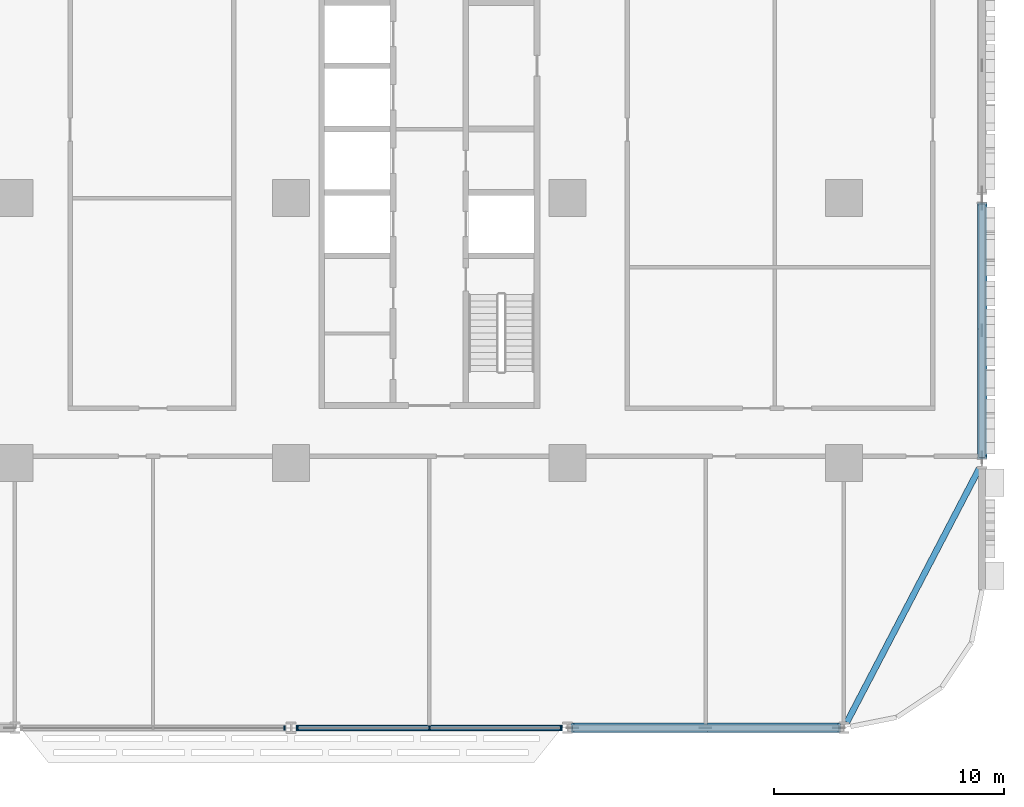
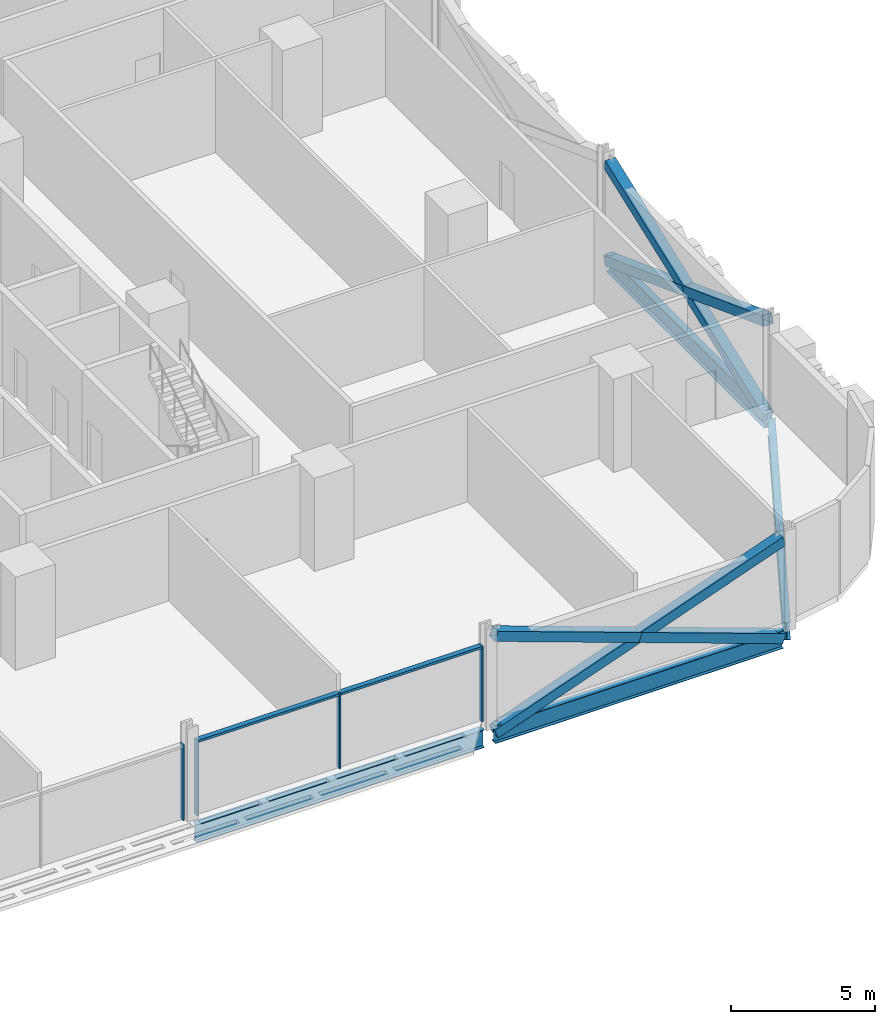
# One storey, part 7 of 28: 12 members, 4 beams, 2 elements without a shape of their own.
"""IFC4 building model written with IfcOpenShell, lengths in metres."""

from ifc_helpers import new_model, si_unit, direction, frame, origin, origin_2d, place, context, subcontext, project, spatial, rectangle, hollow_rectangle, i_section, extrude, material, material_profile, profile_set, type_object, element, aggregate, save


model = new_model("IFC4")

# Units and contexts
model_context = context("Model", 3, precision=1e-05, world=origin(), true_north=direction((0.0, 1.0)))
body_context = subcontext(model_context, "Body", "Model", "MODEL_VIEW")
ifc_project = project(units=[si_unit("LENGTHUNIT", "METRE"), si_unit("AREAUNIT", "SQUARE_METRE"), si_unit("VOLUMEUNIT", "CUBIC_METRE"), si_unit("PLANEANGLEUNIT", "RADIAN"), si_unit("MASSUNIT", "GRAM", prefix="KILO")], contexts=[model_context])

# Site, building, storey
site_placement = place(None, origin())
site = spatial("IfcSite", under=ifc_project, at=site_placement, CompositionType="ELEMENT")
building_placement = place(site_placement, origin())
building = spatial("IfcBuilding", under=site, at=building_placement, Name="Mahtab Terrace Research Tower", CompositionType="ELEMENT")
storey_placement = place(building_placement, frame((0.0, 0.0, 33.0)))
storey = spatial("IfcBuildingStorey", under=building, at=storey_placement, Name="L07", CompositionType="ELEMENT", Elevation=33.0)

# Members
ifc_material_1 = material(Name="Steel ASTM A500 Gr C", Category="steel")
ifc_material_profile_1 = material_profile(ifc_material_1, hollow_rectangle(XDim=0.406494140625, YDim=0.406494140625, WallThickness=0.01904296875, at=origin_2d()), Name="HSS16X16X3/4")
ifc_profile_set_1 = profile_set([ifc_material_profile_1], Name="Steel ASTM A500 Gr C")
member_type_1 = type_object("IfcMemberType", Name="HSS 16x16x3/4 brace XB161634", PredefinedType="BRACE", material=ifc_profile_set_1)
member_1_placement = place(storey_placement, frame((30.2158203125, -23.0, -0.64111328125), z_axis=(0.941388097231, 0.0, 0.337325436917), x_axis=(0.0, 1.0, 0.0)))
element("IfcMember", 1, at=member_1_placement, inside=storey, type_object=member_type_1, Name="Exoskeleton brace L07 18 a", PredefinedType="BRACE", context=body_context, shape_type="SweptSolid", body=[
    extrude(hollow_rectangle(XDim=0.406494140625, YDim=0.406494140625, WallThickness=0.01904296875, at=origin_2d()), origin(), (0.0, 0.0, 1.0), 12.28857421875),
])
for number, where, z_axis, x_axis, name in (
    (2, (41.7841796875, -23.0, -0.64111328125), (-0.941381788192, 0.0, 0.337343043295), (0.0, -1.0, 0.0), "Exoskeleton brace L07 18 b1"),
    (3, (36.0, -23.0, 1.431640625), (-0.941394406025, 0.0, 0.337307830185), (0.0, -1.0, 0.0), "Exoskeleton brace L07 18 b2"),
):
    element("IfcMember", number, at=place(storey_placement, frame(where, z_axis=z_axis, x_axis=x_axis)), inside=storey, type_object=member_type_1, Name=name, PredefinedType="BRACE", context=body_context, shape_type="SweptSolid", body=[
        extrude(hollow_rectangle(XDim=0.406494140625, YDim=0.406494140625, WallThickness=0.01904296875, at=origin_2d()), origin(), (0.0, 0.0, 1.0), 6.144287109375),
    ])
member_2_placement = place(storey_placement, frame((48.0, -11.251220703125, -0.62548828125), z_axis=(0.0, 0.936661873217, 0.350234971499), x_axis=(-1.0, 0.0, 0.0)))
element("IfcMember", 4, at=member_2_placement, inside=storey, type_object=member_type_1, Name="Exoskeleton brace L07 20 a", PredefinedType="BRACE", context=body_context, shape_type="SweptSolid", body=[
    extrude(hollow_rectangle(XDim=0.406494140625, YDim=0.406494140625, WallThickness=0.01904296875, at=origin_2d()), origin(), (0.0, 0.0, 1.0), 11.746337890625),
])
for number, where, z_axis, x_axis, name in (
    (5, (48.0, -0.248779296875, -0.62548828125), (0.0, -0.936655054788, 0.350253206038), (1.0, 0.0, 0.0), "Exoskeleton brace L07 20 b1"),
    (6, (48.0, -5.75, 1.431640625), (0.0, -0.936668691391, 0.350216736563), (1.0, 0.0, 0.0), "Exoskeleton brace L07 20 b2"),
):
    element("IfcMember", number, at=place(storey_placement, frame(where, z_axis=z_axis, x_axis=x_axis)), inside=storey, type_object=member_type_1, Name=name, PredefinedType="BRACE", context=body_context, shape_type="SweptSolid", body=[
        extrude(hollow_rectangle(XDim=0.406494140625, YDim=0.406494140625, WallThickness=0.01904296875, at=origin_2d()), origin(), (0.0, 0.0, 1.0), 5.873291015625),
    ])

# Curtain wall, member
ifc_material_2 = material(Name="Laboratory ribbon curtain wall")
curtain_wall_type = type_object("IfcCurtainWallType", Name="Laboratory ribbon curtain wall", PredefinedType="NOTDEFINED", material=ifc_material_2)
curtain_wall_1_placement = place(storey_placement, origin())
curtain_wall_1 = element("IfcCurtainWall", 7, at=curtain_wall_1_placement, inside=storey, type_object=curtain_wall_type, Name="EN.L07.13.26", PredefinedType="NOTDEFINED")
ifc_material_3 = material(Name="Natural anodised aluminium", Category="aluminium")
ifc_material_profile_2 = material_profile(ifc_material_3, rectangle(XDim=0.199951171875, YDim=0.06494140625, at=origin_2d()), Name="MULLION 65x200")
ifc_profile_set_2 = profile_set([ifc_material_profile_2], Name="Natural anodised aluminium")
member_type_2 = type_object("IfcMemberType", Name="Laboratory ribbon curtain wall mullion", PredefinedType="MULLION", material=ifc_profile_set_2)
member_3_placement = place(storey_placement, frame((17.718505859375, -23.0, 0.0), z_axis=(0.0, 0.0, 1.0), x_axis=(0.0, 1.0, 0.0)))
member_3 = element("IfcMember", 8, at=member_3_placement, type_object=member_type_2, Name="CWL-1 mullion 3", PredefinedType="MULLION", context=body_context, shape_type="SweptSolid", body=[
    extrude(rectangle(XDim=0.199951171875, YDim=0.06494140625, at=origin_2d()), origin(), (0.0, 0.0, 1.0), 3.203125),
])
aggregate(curtain_wall_1, [member_3])

# Curtain wall, members
curtain_wall_2_placement = place(storey_placement, origin())
curtain_wall_2 = element("IfcCurtainWall", 9, at=curtain_wall_2_placement, inside=storey, type_object=curtain_wall_type, Name="EN.L07.13.27", PredefinedType="NOTDEFINED")
member_4_placement = place(storey_placement, frame((18.281494140625, -23.0, 0.0), z_axis=(0.0, 0.0, 1.0), x_axis=(0.0, 1.0, 0.0)))
member_4 = element("IfcMember", 10, at=member_4_placement, type_object=member_type_2, Name="CWL-1 mullion 1", PredefinedType="MULLION", context=body_context, shape_type="SweptSolid", body=[
    extrude(rectangle(XDim=0.199951171875, YDim=0.06494140625, at=origin_2d()), origin(), (0.0, 0.0, 1.0), 3.203125),
])
member_5_placement = place(storey_placement, frame((24.0, -23.0, 0.0), z_axis=(0.0, 0.0, 1.0), x_axis=(0.0, 1.0, 0.0)))
member_5 = element("IfcMember", 11, at=member_5_placement, type_object=member_type_2, Name="CWL-1 mullion 2", PredefinedType="MULLION", context=body_context, shape_type="SweptSolid", body=[
    extrude(rectangle(XDim=0.199951171875, YDim=0.06494140625, at=origin_2d()), origin(), (0.0, 0.0, 1.0), 3.203125),
])
member_6_placement = place(storey_placement, frame((29.718505859375, -23.0, 0.0), z_axis=(0.0, 0.0, 1.0), x_axis=(0.0, 1.0, 0.0)))
member_6 = element("IfcMember", 12, at=member_6_placement, type_object=member_type_2, Name="CWL-1 mullion 3", PredefinedType="MULLION", context=body_context, shape_type="SweptSolid", body=[
    extrude(rectangle(XDim=0.199951171875, YDim=0.06494140625, at=origin_2d()), origin(), (0.0, 0.0, 1.0), 3.203125),
])
ifc_material_profile_3 = material_profile(ifc_material_3, rectangle(XDim=0.199951171875, YDim=0.10009765625, at=origin_2d()), Name="TRANSOM 100x200")
ifc_profile_set_3 = profile_set([ifc_material_profile_3], Name="Natural anodised aluminium")
member_type_3 = type_object("IfcMemberType", Name="Laboratory ribbon curtain wall transom", PredefinedType="USERDEFINED", material=ifc_profile_set_3)
member_7_placement = place(storey_placement, frame((18.31396484375, -23.0, 3.153076171875), z_axis=(1.0, 0.0, 0.0), x_axis=(0.0, 1.0, 0.0)))
member_7 = element("IfcMember", 13, at=member_7_placement, type_object=member_type_3, Name="CWL-1 transom 1", ObjectType="TRANSOM", PredefinedType="USERDEFINED", context=body_context, shape_type="SweptSolid", body=[
    extrude(rectangle(XDim=0.199951171875, YDim=0.10009765625, at=origin_2d()), origin(), (0.0, 0.0, 1.0), 5.653564453125),
])
member_8_placement = place(storey_placement, frame((24.032470703125, -23.0, 3.153076171875), z_axis=(1.0, 0.0, 0.0), x_axis=(0.0, 1.0, 0.0)))
member_8 = element("IfcMember", 14, at=member_8_placement, type_object=member_type_3, Name="CWL-1 transom 2", ObjectType="TRANSOM", PredefinedType="USERDEFINED", context=body_context, shape_type="SweptSolid", body=[
    extrude(rectangle(XDim=0.199951171875, YDim=0.10009765625, at=origin_2d()), origin(), (0.0, 0.0, 1.0), 5.653564453125),
])
aggregate(curtain_wall_2, [member_4, member_5, member_6, member_7, member_8])

# Beams
ifc_material_4 = material(Name="Steel ASTM A992 Gr 50", Category="steel")
ifc_material_profile_4 = material_profile(ifc_material_4, i_section(OverallWidth=0.2666015625, OverallDepth=0.7568359375, WebThickness=0.013916015625, FlangeThickness=0.019287109375, at=origin_2d()), Name="W30X108")
ifc_profile_set_4 = profile_set([ifc_material_profile_4], Name="Steel ASTM A992 Gr 50")
beam_type = type_object("IfcBeamType", Name="W30x108 beam BS30108", PredefinedType="BEAM", material=ifc_profile_set_4)
for number, where, z_axis, x_axis, name in (
    (15, (18.2158203125, -23.0, -0.718505859375), (1.0, 0.0, 0.0), (0.0, 1.0, 0.0), "Spandrel beam L07 17"),
    (16, (30.2158203125, -23.0, -0.718505859375), (1.0, 0.0, 0.0), (0.0, 1.0, 0.0), "Spandrel beam L07 18"),
):
    element("IfcBeam", number, at=place(storey_placement, frame(where, z_axis=z_axis, x_axis=x_axis)), inside=storey, type_object=beam_type, Name=name, PredefinedType="BEAM", context=body_context, shape_type="SweptSolid", body=[
        extrude(i_section(OverallWidth=0.2666015625, OverallDepth=0.7568359375, WebThickness=0.013916015625, FlangeThickness=0.019287109375, at=origin_2d()), origin(), (0.0, 0.0, 1.0), 11.568359375),
    ])
beam_1_placement = place(storey_placement, frame((42.1298828125, -22.751220703125, -0.718505859375), z_axis=(0.462555249274, 0.88659045865, 0.0), x_axis=(-0.88659045865, 0.462555249274, 0.0)))
element("IfcBeam", 17, at=beam_1_placement, inside=storey, type_object=beam_type, Name="Spandrel beam L07 19", PredefinedType="BEAM", context=body_context, shape_type="SweptSolid", body=[
    extrude(i_section(OverallWidth=0.2666015625, OverallDepth=0.7568359375, WebThickness=0.013916015625, FlangeThickness=0.019287109375, at=origin_2d()), origin(), (0.0, 0.0, 1.0), 12.409912109375),
])
beam_2_placement = place(storey_placement, frame((48.0, -11.251220703125, -0.718505859375), z_axis=(0.0, 1.0, 0.0), x_axis=(-1.0, 0.0, 0.0)))
element("IfcBeam", 18, at=beam_2_placement, inside=storey, type_object=beam_type, Name="Spandrel beam L07 20", PredefinedType="BEAM", context=body_context, shape_type="SweptSolid", body=[
    extrude(i_section(OverallWidth=0.2666015625, OverallDepth=0.7568359375, WebThickness=0.013916015625, FlangeThickness=0.019287109375, at=origin_2d()), origin(), (0.0, 0.0, 1.0), 11.00244140625),
])

save(model, "model.ifc")
